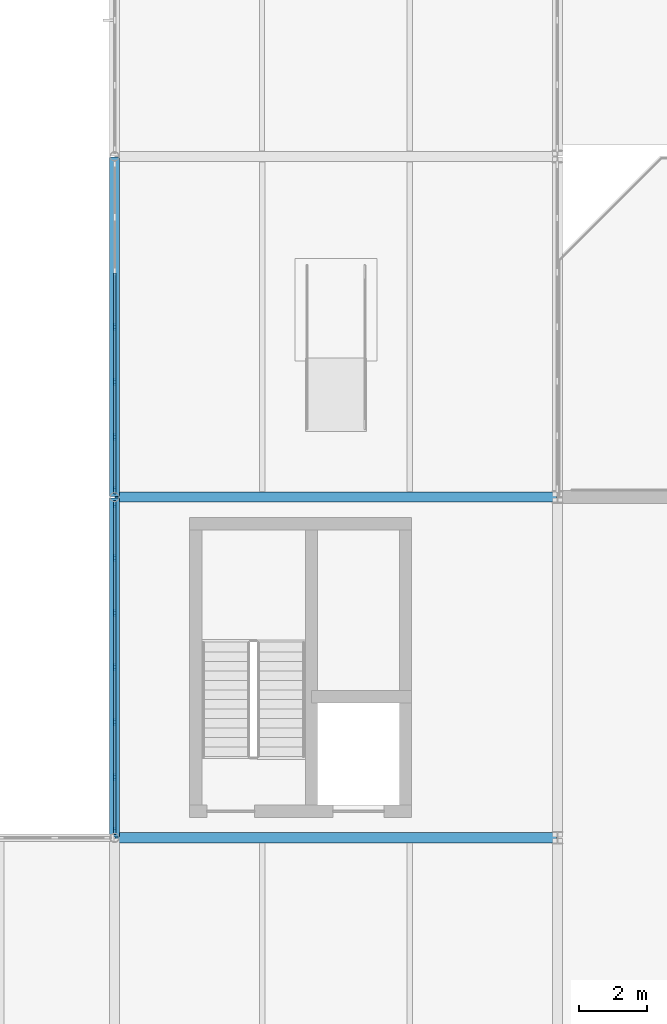
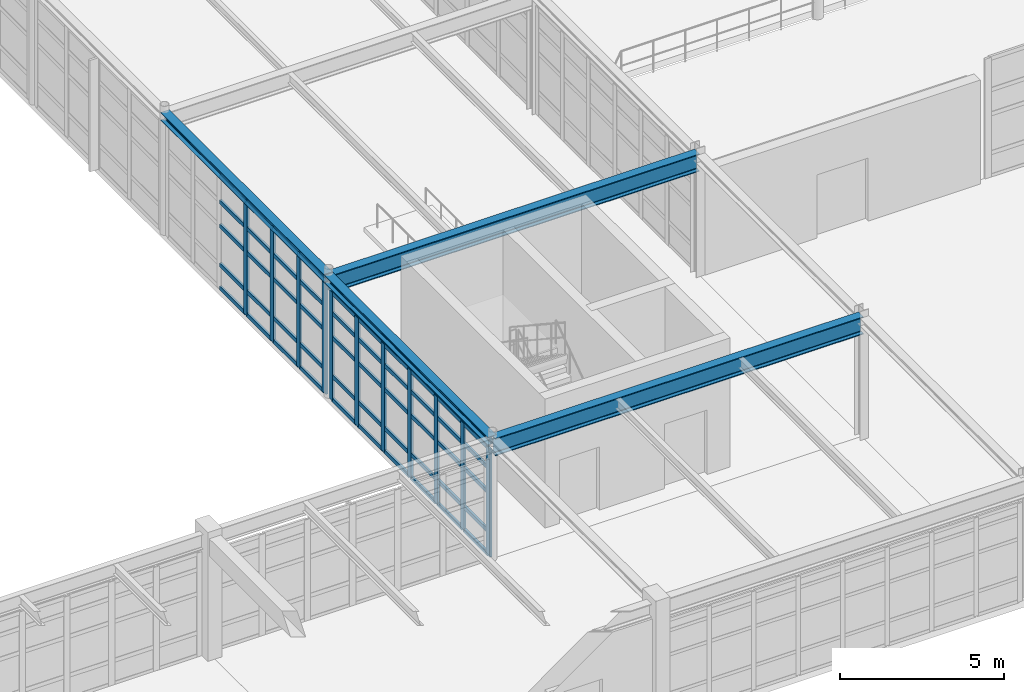
# One storey, part 49 of 139: 61 members, 4 beams, 2 elements without a shape of their own.
"""IFC4 building model written with IfcOpenShell, lengths in metres."""

from ifc_helpers import new_model, si_unit, direction, frame, origin, origin_2d, place, context, subcontext, project, spatial, rectangle, i_section, extrude, material, layer, layer_set, material_profile, profile_set, type_object, element, aggregate, save


model = new_model("IFC4")

# Units and contexts
model_context = context("Model", 3, precision=1e-05, world=origin(), true_north=direction((0.0, 1.0)))
body_context = subcontext(model_context, "Body", "Model", "MODEL_VIEW")
ifc_project = project(units=[si_unit("LENGTHUNIT", "METRE"), si_unit("AREAUNIT", "SQUARE_METRE"), si_unit("VOLUMEUNIT", "CUBIC_METRE"), si_unit("PLANEANGLEUNIT", "RADIAN"), si_unit("MASSUNIT", "GRAM", prefix="KILO"), si_unit("THERMODYNAMICTEMPERATUREUNIT", "KELVIN"), si_unit("POWERUNIT", "WATT")], contexts=[model_context])

# Site, building, storey
site_placement = place(None, origin())
site = spatial("IfcSite", under=ifc_project, at=site_placement, CompositionType="ELEMENT")
building_placement = place(site_placement, origin())
building = spatial("IfcBuilding", under=site, at=building_placement, Name="Korenveer Ferry Terminal", CompositionType="ELEMENT")
storey_placement = place(building_placement, frame((0.0, 0.0, 5.39990234375)))
storey = spatial("IfcBuildingStorey", under=building, at=storey_placement, Name="L01", CompositionType="ELEMENT", Elevation=5.39990234375)

# Curtain wall, members
ifc_material_1 = material(Name="Unitised bronze-and-glass curtain wall", Category="glass")
ifc_layer_1 = layer(ifc_material_1, 0.219970703125)
ifc_layer_set_1 = layer_set([ifc_layer_1], Name="Unitised bronze-and-glass curtain wall")
curtain_wall_type_1 = type_object("IfcCurtainWallType", Name="ENV-CW-64", PredefinedType="USERDEFINED", material=ifc_layer_set_1)
curtain_wall_1_placement = place(storey_placement, frame((40.0, 80.16650390625, 0.0)))
curtain_wall_1 = element("IfcCurtainWall", 1, at=curtain_wall_1_placement, inside=storey, type_object=curtain_wall_type_1, Name="Lancet curtain wall CWX-L01-X40-40-Y80-90", ObjectType="UNITISED CURTAIN WALL", PredefinedType="USERDEFINED")
ifc_material_2 = material(Name="Anodised bronze aluminium", Category="aluminium")
ifc_material_profile_1 = material_profile(ifc_material_2, rectangle(XDim=0.074951171875, YDim=0.219970703125, at=origin_2d()), Name="ALU 75x220")
ifc_profile_set_1 = profile_set([ifc_material_profile_1], Name="Anodised bronze aluminium")
member_type_1 = type_object("IfcMemberType", Name="ENV-CWM-75X220", PredefinedType="MULLION", material=ifc_profile_set_1)
member_1_placement = place(storey_placement, frame((40.0, 80.2041015625, 0.0), z_axis=(0.0, 0.0, 1.0), x_axis=(-1.0, 0.0, 0.0)))
member_1 = element("IfcMember", 2, at=member_1_placement, type_object=member_type_1, Name="CW-64 mullion 1", PredefinedType="MULLION", context=body_context, shape_type="SweptSolid", body=[
    extrude(rectangle(XDim=0.074951171875, YDim=0.219970703125, at=origin_2d()), origin(), (0.0, 0.0, 1.0), 4.030029296875),
])
member_2_placement = place(storey_placement, frame((40.0, 81.777587890625, 0.0), z_axis=(0.0, 0.0, 1.0), x_axis=(-1.0, 0.0, 0.0)))
member_2 = element("IfcMember", 3, at=member_2_placement, type_object=member_type_1, Name="CW-64 mullion 2", PredefinedType="MULLION", context=body_context, shape_type="SweptSolid", body=[
    extrude(rectangle(XDim=0.074951171875, YDim=0.219970703125, at=origin_2d()), origin(), (0.0, 0.0, 1.0), 4.030029296875),
])
member_3_placement = place(storey_placement, frame((40.0, 83.388916015625, 0.0), z_axis=(0.0, 0.0, 1.0), x_axis=(-1.0, 0.0, 0.0)))
member_3 = element("IfcMember", 4, at=member_3_placement, type_object=member_type_1, Name="CW-64 mullion 3", PredefinedType="MULLION", context=body_context, shape_type="SweptSolid", body=[
    extrude(rectangle(XDim=0.074951171875, YDim=0.219970703125, at=origin_2d()), origin(), (0.0, 0.0, 1.0), 4.030029296875),
])
member_4_placement = place(storey_placement, frame((40.0, 85.0, 0.0), z_axis=(0.0, 0.0, 1.0), x_axis=(-1.0, 0.0, 0.0)))
member_4 = element("IfcMember", 5, at=member_4_placement, type_object=member_type_1, Name="CW-64 mullion 4", PredefinedType="MULLION", context=body_context, shape_type="SweptSolid", body=[
    extrude(rectangle(XDim=0.074951171875, YDim=0.219970703125, at=origin_2d()), origin(), (0.0, 0.0, 1.0), 4.030029296875),
])
member_5_placement = place(storey_placement, frame((40.0, 86.611083984375, 0.0), z_axis=(0.0, 0.0, 1.0), x_axis=(-1.0, 0.0, 0.0)))
member_5 = element("IfcMember", 6, at=member_5_placement, type_object=member_type_1, Name="CW-64 mullion 5", PredefinedType="MULLION", context=body_context, shape_type="SweptSolid", body=[
    extrude(rectangle(XDim=0.074951171875, YDim=0.219970703125, at=origin_2d()), origin(), (0.0, 0.0, 1.0), 4.030029296875),
])
member_6_placement = place(storey_placement, frame((40.0, 88.222412109375, 0.0), z_axis=(0.0, 0.0, 1.0), x_axis=(-1.0, 0.0, 0.0)))
member_6 = element("IfcMember", 7, at=member_6_placement, type_object=member_type_1, Name="CW-64 mullion 6", PredefinedType="MULLION", context=body_context, shape_type="SweptSolid", body=[
    extrude(rectangle(XDim=0.074951171875, YDim=0.219970703125, at=origin_2d()), origin(), (0.0, 0.0, 1.0), 4.030029296875),
])
member_7_placement = place(storey_placement, frame((40.0, 89.7958984375, 0.0), z_axis=(0.0, 0.0, 1.0), x_axis=(-1.0, 0.0, 0.0)))
member_7 = element("IfcMember", 8, at=member_7_placement, type_object=member_type_1, Name="CW-64 mullion 7", PredefinedType="MULLION", context=body_context, shape_type="SweptSolid", body=[
    extrude(rectangle(XDim=0.074951171875, YDim=0.219970703125, at=origin_2d()), origin(), (0.0, 0.0, 1.0), 4.030029296875),
])

ifc_layer_2 = layer(ifc_material_1, 0.219970703125)
ifc_layer_set_2 = layer_set([ifc_layer_2], Name="Unitised bronze-and-glass curtain wall")
curtain_wall_type_2 = type_object("IfcCurtainWallType", Name="ENV-CW-65", PredefinedType="USERDEFINED", material=ifc_layer_set_2)
curtain_wall_2_placement = place(storey_placement, frame((40.0, 90.16650390625, 0.0)))
curtain_wall_2 = element("IfcCurtainWall", 9, at=curtain_wall_2_placement, inside=storey, type_object=curtain_wall_type_2, Name="Lancet curtain wall CWX-L01-X40-40-Y90-100", ObjectType="UNITISED CURTAIN WALL", PredefinedType="USERDEFINED")
member_8_placement = place(storey_placement, frame((40.0, 90.2041015625, 0.0), z_axis=(0.0, 0.0, 1.0), x_axis=(-1.0, 0.0, 0.0)))
member_8 = element("IfcMember", 10, at=member_8_placement, type_object=member_type_1, Name="CW-65 mullion 1", PredefinedType="MULLION", context=body_context, shape_type="SweptSolid", body=[
    extrude(rectangle(XDim=0.074951171875, YDim=0.219970703125, at=origin_2d()), origin(), (0.0, 0.0, 1.0), 4.22998046875),
])
member_9_placement = place(storey_placement, frame((40.0, 91.777587890625, 0.0), z_axis=(0.0, 0.0, 1.0), x_axis=(-1.0, 0.0, 0.0)))
member_9 = element("IfcMember", 11, at=member_9_placement, type_object=member_type_1, Name="CW-65 mullion 2", PredefinedType="MULLION", context=body_context, shape_type="SweptSolid", body=[
    extrude(rectangle(XDim=0.074951171875, YDim=0.219970703125, at=origin_2d()), origin(), (0.0, 0.0, 1.0), 4.22998046875),
])
member_10_placement = place(storey_placement, frame((40.0, 93.388916015625, 0.0), z_axis=(0.0, 0.0, 1.0), x_axis=(-1.0, 0.0, 0.0)))
member_10 = element("IfcMember", 12, at=member_10_placement, type_object=member_type_1, Name="CW-65 mullion 3", PredefinedType="MULLION", context=body_context, shape_type="SweptSolid", body=[
    extrude(rectangle(XDim=0.074951171875, YDim=0.219970703125, at=origin_2d()), origin(), (0.0, 0.0, 1.0), 4.22998046875),
])
member_11_placement = place(storey_placement, frame((40.0, 95.0, 0.0), z_axis=(0.0, 0.0, 1.0), x_axis=(-1.0, 0.0, 0.0)))
member_11 = element("IfcMember", 13, at=member_11_placement, type_object=member_type_1, Name="CW-65 mullion 4", PredefinedType="MULLION", context=body_context, shape_type="SweptSolid", body=[
    extrude(rectangle(XDim=0.074951171875, YDim=0.219970703125, at=origin_2d()), origin(), (0.0, 0.0, 1.0), 4.22998046875),
])

# Member
ifc_material_profile_2 = material_profile(ifc_material_2, rectangle(XDim=0.074951171875, YDim=0.14990234375, at=origin_2d()), Name="ALU 75x150")
ifc_profile_set_2 = profile_set([ifc_material_profile_2], Name="Anodised bronze aluminium")
member_type_2 = type_object("IfcMemberType", Name="ENV-CWT-75X150", PredefinedType="USERDEFINED", material=ifc_profile_set_2)
member_12_placement = place(storey_placement, frame((40.0, 80.241455078125, 0.03759765625), z_axis=(0.0, 1.0, 0.0), x_axis=(-1.0, 0.0, 0.0)))
member_12 = element("IfcMember", 14, at=member_12_placement, type_object=member_type_2, Name="CW-64 transom 1.1", ObjectType="TRANSOM", PredefinedType="USERDEFINED", context=body_context, shape_type="SweptSolid", body=[
    extrude(rectangle(XDim=0.074951171875, YDim=0.14990234375, at=origin_2d()), origin(), (0.0, 0.0, 1.0), 1.498779296875),
])

member_13_placement = place(storey_placement, frame((40.0, 80.241455078125, 0.900146484375), z_axis=(0.0, 1.0, 0.0), x_axis=(-1.0, 0.0, 0.0)))
member_13 = element("IfcMember", 15, at=member_13_placement, type_object=member_type_2, Name="CW-64 transom 1.2", ObjectType="TRANSOM", PredefinedType="USERDEFINED", context=body_context, shape_type="SweptSolid", body=[
    extrude(rectangle(XDim=0.074951171875, YDim=0.14990234375, at=origin_2d()), origin(), (0.0, 0.0, 1.0), 1.498779296875),
])

member_14_placement = place(storey_placement, frame((40.0, 80.241455078125, 2.35009765625), z_axis=(0.0, 1.0, 0.0), x_axis=(-1.0, 0.0, 0.0)))
member_14 = element("IfcMember", 16, at=member_14_placement, type_object=member_type_2, Name="CW-64 transom 1.3", ObjectType="TRANSOM", PredefinedType="USERDEFINED", context=body_context, shape_type="SweptSolid", body=[
    extrude(rectangle(XDim=0.074951171875, YDim=0.14990234375, at=origin_2d()), origin(), (0.0, 0.0, 1.0), 1.498779296875),
])

member_15_placement = place(storey_placement, frame((40.0, 80.241455078125, 3.25), z_axis=(0.0, 1.0, 0.0), x_axis=(-1.0, 0.0, 0.0)))
member_15 = element("IfcMember", 17, at=member_15_placement, type_object=member_type_2, Name="CW-64 transom 1.4", ObjectType="TRANSOM", PredefinedType="USERDEFINED", context=body_context, shape_type="SweptSolid", body=[
    extrude(rectangle(XDim=0.074951171875, YDim=0.14990234375, at=origin_2d()), origin(), (0.0, 0.0, 1.0), 1.498779296875),
])

member_16_placement = place(storey_placement, frame((40.0, 80.241455078125, 3.99267578125), z_axis=(0.0, 1.0, 0.0), x_axis=(-1.0, 0.0, 0.0)))
member_16 = element("IfcMember", 18, at=member_16_placement, type_object=member_type_2, Name="CW-64 transom 1.5", ObjectType="TRANSOM", PredefinedType="USERDEFINED", context=body_context, shape_type="SweptSolid", body=[
    extrude(rectangle(XDim=0.074951171875, YDim=0.14990234375, at=origin_2d()), origin(), (0.0, 0.0, 1.0), 1.498779296875),
])

member_17_placement = place(storey_placement, frame((40.0, 81.815185546875, 0.03759765625), z_axis=(0.0, 1.0, 0.0), x_axis=(-1.0, 0.0, 0.0)))
member_17 = element("IfcMember", 19, at=member_17_placement, type_object=member_type_2, Name="CW-64 transom 2.1", ObjectType="TRANSOM", PredefinedType="USERDEFINED", context=body_context, shape_type="SweptSolid", body=[
    extrude(rectangle(XDim=0.074951171875, YDim=0.14990234375, at=origin_2d()), origin(), (0.0, 0.0, 1.0), 1.5361328125),
])

member_18_placement = place(storey_placement, frame((40.0, 81.815185546875, 0.900146484375), z_axis=(0.0, 1.0, 0.0), x_axis=(-1.0, 0.0, 0.0)))
member_18 = element("IfcMember", 20, at=member_18_placement, type_object=member_type_2, Name="CW-64 transom 2.2", ObjectType="TRANSOM", PredefinedType="USERDEFINED", context=body_context, shape_type="SweptSolid", body=[
    extrude(rectangle(XDim=0.074951171875, YDim=0.14990234375, at=origin_2d()), origin(), (0.0, 0.0, 1.0), 1.5361328125),
])

member_19_placement = place(storey_placement, frame((40.0, 81.815185546875, 2.35009765625), z_axis=(0.0, 1.0, 0.0), x_axis=(-1.0, 0.0, 0.0)))
member_19 = element("IfcMember", 21, at=member_19_placement, type_object=member_type_2, Name="CW-64 transom 2.3", ObjectType="TRANSOM", PredefinedType="USERDEFINED", context=body_context, shape_type="SweptSolid", body=[
    extrude(rectangle(XDim=0.074951171875, YDim=0.14990234375, at=origin_2d()), origin(), (0.0, 0.0, 1.0), 1.5361328125),
])

member_20_placement = place(storey_placement, frame((40.0, 81.815185546875, 3.25), z_axis=(0.0, 1.0, 0.0), x_axis=(-1.0, 0.0, 0.0)))
member_20 = element("IfcMember", 22, at=member_20_placement, type_object=member_type_2, Name="CW-64 transom 2.4", ObjectType="TRANSOM", PredefinedType="USERDEFINED", context=body_context, shape_type="SweptSolid", body=[
    extrude(rectangle(XDim=0.074951171875, YDim=0.14990234375, at=origin_2d()), origin(), (0.0, 0.0, 1.0), 1.5361328125),
])

member_21_placement = place(storey_placement, frame((40.0, 81.815185546875, 3.99267578125), z_axis=(0.0, 1.0, 0.0), x_axis=(-1.0, 0.0, 0.0)))
member_21 = element("IfcMember", 23, at=member_21_placement, type_object=member_type_2, Name="CW-64 transom 2.5", ObjectType="TRANSOM", PredefinedType="USERDEFINED", context=body_context, shape_type="SweptSolid", body=[
    extrude(rectangle(XDim=0.074951171875, YDim=0.14990234375, at=origin_2d()), origin(), (0.0, 0.0, 1.0), 1.5361328125),
])

member_22_placement = place(storey_placement, frame((40.0, 83.42626953125, 0.03759765625), z_axis=(0.0, 1.0, 0.0), x_axis=(-1.0, 0.0, 0.0)))
member_22 = element("IfcMember", 24, at=member_22_placement, type_object=member_type_2, Name="CW-64 transom 3.1", ObjectType="TRANSOM", PredefinedType="USERDEFINED", context=body_context, shape_type="SweptSolid", body=[
    extrude(rectangle(XDim=0.074951171875, YDim=0.14990234375, at=origin_2d()), origin(), (0.0, 0.0, 1.0), 1.5361328125),
])

member_23_placement = place(storey_placement, frame((40.0, 83.42626953125, 0.900146484375), z_axis=(0.0, 1.0, 0.0), x_axis=(-1.0, 0.0, 0.0)))
member_23 = element("IfcMember", 25, at=member_23_placement, type_object=member_type_2, Name="CW-64 transom 3.2", ObjectType="TRANSOM", PredefinedType="USERDEFINED", context=body_context, shape_type="SweptSolid", body=[
    extrude(rectangle(XDim=0.074951171875, YDim=0.14990234375, at=origin_2d()), origin(), (0.0, 0.0, 1.0), 1.5361328125),
])

member_24_placement = place(storey_placement, frame((40.0, 83.42626953125, 2.35009765625), z_axis=(0.0, 1.0, 0.0), x_axis=(-1.0, 0.0, 0.0)))
member_24 = element("IfcMember", 26, at=member_24_placement, type_object=member_type_2, Name="CW-64 transom 3.3", ObjectType="TRANSOM", PredefinedType="USERDEFINED", context=body_context, shape_type="SweptSolid", body=[
    extrude(rectangle(XDim=0.074951171875, YDim=0.14990234375, at=origin_2d()), origin(), (0.0, 0.0, 1.0), 1.5361328125),
])

member_25_placement = place(storey_placement, frame((40.0, 83.42626953125, 3.25), z_axis=(0.0, 1.0, 0.0), x_axis=(-1.0, 0.0, 0.0)))
member_25 = element("IfcMember", 27, at=member_25_placement, type_object=member_type_2, Name="CW-64 transom 3.4", ObjectType="TRANSOM", PredefinedType="USERDEFINED", context=body_context, shape_type="SweptSolid", body=[
    extrude(rectangle(XDim=0.074951171875, YDim=0.14990234375, at=origin_2d()), origin(), (0.0, 0.0, 1.0), 1.5361328125),
])

member_26_placement = place(storey_placement, frame((40.0, 83.42626953125, 3.99267578125), z_axis=(0.0, 1.0, 0.0), x_axis=(-1.0, 0.0, 0.0)))
member_26 = element("IfcMember", 28, at=member_26_placement, type_object=member_type_2, Name="CW-64 transom 3.5", ObjectType="TRANSOM", PredefinedType="USERDEFINED", context=body_context, shape_type="SweptSolid", body=[
    extrude(rectangle(XDim=0.074951171875, YDim=0.14990234375, at=origin_2d()), origin(), (0.0, 0.0, 1.0), 1.5361328125),
])

member_27_placement = place(storey_placement, frame((40.0, 85.03759765625, 0.03759765625), z_axis=(0.0, 1.0, 0.0), x_axis=(-1.0, 0.0, 0.0)))
member_27 = element("IfcMember", 29, at=member_27_placement, type_object=member_type_2, Name="CW-64 transom 4.1", ObjectType="TRANSOM", PredefinedType="USERDEFINED", context=body_context, shape_type="SweptSolid", body=[
    extrude(rectangle(XDim=0.074951171875, YDim=0.14990234375, at=origin_2d()), origin(), (0.0, 0.0, 1.0), 1.5361328125),
])

member_28_placement = place(storey_placement, frame((40.0, 85.03759765625, 0.900146484375), z_axis=(0.0, 1.0, 0.0), x_axis=(-1.0, 0.0, 0.0)))
member_28 = element("IfcMember", 30, at=member_28_placement, type_object=member_type_2, Name="CW-64 transom 4.2", ObjectType="TRANSOM", PredefinedType="USERDEFINED", context=body_context, shape_type="SweptSolid", body=[
    extrude(rectangle(XDim=0.074951171875, YDim=0.14990234375, at=origin_2d()), origin(), (0.0, 0.0, 1.0), 1.5361328125),
])

member_29_placement = place(storey_placement, frame((40.0, 85.03759765625, 2.35009765625), z_axis=(0.0, 1.0, 0.0), x_axis=(-1.0, 0.0, 0.0)))
member_29 = element("IfcMember", 31, at=member_29_placement, type_object=member_type_2, Name="CW-64 transom 4.3", ObjectType="TRANSOM", PredefinedType="USERDEFINED", context=body_context, shape_type="SweptSolid", body=[
    extrude(rectangle(XDim=0.074951171875, YDim=0.14990234375, at=origin_2d()), origin(), (0.0, 0.0, 1.0), 1.5361328125),
])

member_30_placement = place(storey_placement, frame((40.0, 85.03759765625, 3.25), z_axis=(0.0, 1.0, 0.0), x_axis=(-1.0, 0.0, 0.0)))
member_30 = element("IfcMember", 32, at=member_30_placement, type_object=member_type_2, Name="CW-64 transom 4.4", ObjectType="TRANSOM", PredefinedType="USERDEFINED", context=body_context, shape_type="SweptSolid", body=[
    extrude(rectangle(XDim=0.074951171875, YDim=0.14990234375, at=origin_2d()), origin(), (0.0, 0.0, 1.0), 1.5361328125),
])

member_31_placement = place(storey_placement, frame((40.0, 85.03759765625, 3.99267578125), z_axis=(0.0, 1.0, 0.0), x_axis=(-1.0, 0.0, 0.0)))
member_31 = element("IfcMember", 33, at=member_31_placement, type_object=member_type_2, Name="CW-64 transom 4.5", ObjectType="TRANSOM", PredefinedType="USERDEFINED", context=body_context, shape_type="SweptSolid", body=[
    extrude(rectangle(XDim=0.074951171875, YDim=0.14990234375, at=origin_2d()), origin(), (0.0, 0.0, 1.0), 1.5361328125),
])

member_32_placement = place(storey_placement, frame((40.0, 86.648681640625, 0.03759765625), z_axis=(0.0, 1.0, 0.0), x_axis=(-1.0, 0.0, 0.0)))
member_32 = element("IfcMember", 34, at=member_32_placement, type_object=member_type_2, Name="CW-64 transom 5.1", ObjectType="TRANSOM", PredefinedType="USERDEFINED", context=body_context, shape_type="SweptSolid", body=[
    extrude(rectangle(XDim=0.074951171875, YDim=0.14990234375, at=origin_2d()), origin(), (0.0, 0.0, 1.0), 1.5361328125),
])

member_33_placement = place(storey_placement, frame((40.0, 86.648681640625, 0.900146484375), z_axis=(0.0, 1.0, 0.0), x_axis=(-1.0, 0.0, 0.0)))
member_33 = element("IfcMember", 35, at=member_33_placement, type_object=member_type_2, Name="CW-64 transom 5.2", ObjectType="TRANSOM", PredefinedType="USERDEFINED", context=body_context, shape_type="SweptSolid", body=[
    extrude(rectangle(XDim=0.074951171875, YDim=0.14990234375, at=origin_2d()), origin(), (0.0, 0.0, 1.0), 1.5361328125),
])

member_34_placement = place(storey_placement, frame((40.0, 86.648681640625, 2.35009765625), z_axis=(0.0, 1.0, 0.0), x_axis=(-1.0, 0.0, 0.0)))
member_34 = element("IfcMember", 36, at=member_34_placement, type_object=member_type_2, Name="CW-64 transom 5.3", ObjectType="TRANSOM", PredefinedType="USERDEFINED", context=body_context, shape_type="SweptSolid", body=[
    extrude(rectangle(XDim=0.074951171875, YDim=0.14990234375, at=origin_2d()), origin(), (0.0, 0.0, 1.0), 1.5361328125),
])

member_35_placement = place(storey_placement, frame((40.0, 86.648681640625, 3.25), z_axis=(0.0, 1.0, 0.0), x_axis=(-1.0, 0.0, 0.0)))
member_35 = element("IfcMember", 37, at=member_35_placement, type_object=member_type_2, Name="CW-64 transom 5.4", ObjectType="TRANSOM", PredefinedType="USERDEFINED", context=body_context, shape_type="SweptSolid", body=[
    extrude(rectangle(XDim=0.074951171875, YDim=0.14990234375, at=origin_2d()), origin(), (0.0, 0.0, 1.0), 1.5361328125),
])

member_36_placement = place(storey_placement, frame((40.0, 86.648681640625, 3.99267578125), z_axis=(0.0, 1.0, 0.0), x_axis=(-1.0, 0.0, 0.0)))
member_36 = element("IfcMember", 38, at=member_36_placement, type_object=member_type_2, Name="CW-64 transom 5.5", ObjectType="TRANSOM", PredefinedType="USERDEFINED", context=body_context, shape_type="SweptSolid", body=[
    extrude(rectangle(XDim=0.074951171875, YDim=0.14990234375, at=origin_2d()), origin(), (0.0, 0.0, 1.0), 1.5361328125),
])

member_37_placement = place(storey_placement, frame((40.0, 88.259765625, 0.03759765625), z_axis=(0.0, 1.0, 0.0), x_axis=(-1.0, 0.0, 0.0)))
member_37 = element("IfcMember", 39, at=member_37_placement, type_object=member_type_2, Name="CW-64 transom 6.1", ObjectType="TRANSOM", PredefinedType="USERDEFINED", context=body_context, shape_type="SweptSolid", body=[
    extrude(rectangle(XDim=0.074951171875, YDim=0.14990234375, at=origin_2d()), origin(), (0.0, 0.0, 1.0), 1.498779296875),
])

member_38_placement = place(storey_placement, frame((40.0, 88.259765625, 0.900146484375), z_axis=(0.0, 1.0, 0.0), x_axis=(-1.0, 0.0, 0.0)))
member_38 = element("IfcMember", 40, at=member_38_placement, type_object=member_type_2, Name="CW-64 transom 6.2", ObjectType="TRANSOM", PredefinedType="USERDEFINED", context=body_context, shape_type="SweptSolid", body=[
    extrude(rectangle(XDim=0.074951171875, YDim=0.14990234375, at=origin_2d()), origin(), (0.0, 0.0, 1.0), 1.498779296875),
])

member_39_placement = place(storey_placement, frame((40.0, 88.259765625, 2.35009765625), z_axis=(0.0, 1.0, 0.0), x_axis=(-1.0, 0.0, 0.0)))
member_39 = element("IfcMember", 41, at=member_39_placement, type_object=member_type_2, Name="CW-64 transom 6.3", ObjectType="TRANSOM", PredefinedType="USERDEFINED", context=body_context, shape_type="SweptSolid", body=[
    extrude(rectangle(XDim=0.074951171875, YDim=0.14990234375, at=origin_2d()), origin(), (0.0, 0.0, 1.0), 1.498779296875),
])

member_40_placement = place(storey_placement, frame((40.0, 88.259765625, 3.25), z_axis=(0.0, 1.0, 0.0), x_axis=(-1.0, 0.0, 0.0)))
member_40 = element("IfcMember", 42, at=member_40_placement, type_object=member_type_2, Name="CW-64 transom 6.4", ObjectType="TRANSOM", PredefinedType="USERDEFINED", context=body_context, shape_type="SweptSolid", body=[
    extrude(rectangle(XDim=0.074951171875, YDim=0.14990234375, at=origin_2d()), origin(), (0.0, 0.0, 1.0), 1.498779296875),
])

member_41_placement = place(storey_placement, frame((40.0, 88.259765625, 3.99267578125), z_axis=(0.0, 1.0, 0.0), x_axis=(-1.0, 0.0, 0.0)))
member_41 = element("IfcMember", 43, at=member_41_placement, type_object=member_type_2, Name="CW-64 transom 6.5", ObjectType="TRANSOM", PredefinedType="USERDEFINED", context=body_context, shape_type="SweptSolid", body=[
    extrude(rectangle(XDim=0.074951171875, YDim=0.14990234375, at=origin_2d()), origin(), (0.0, 0.0, 1.0), 1.498779296875),
])

aggregate(curtain_wall_1, [member_1, member_2, member_3, member_4, member_5, member_6, member_7, member_12, member_13, member_14, member_15, member_16, member_17, member_18, member_19, member_20, member_21, member_22, member_23, member_24, member_25, member_26, member_27, member_28, member_29, member_30, member_31, member_32, member_33, member_34, member_35, member_36, member_37, member_38, member_39, member_40, member_41])

member_42_placement = place(storey_placement, frame((40.0, 90.241455078125, 0.03759765625), z_axis=(0.0, 1.0, 0.0), x_axis=(-1.0, 0.0, 0.0)))
member_42 = element("IfcMember", 44, at=member_42_placement, type_object=member_type_2, Name="CW-65 transom 1.1", ObjectType="TRANSOM", PredefinedType="USERDEFINED", context=body_context, shape_type="SweptSolid", body=[
    extrude(rectangle(XDim=0.074951171875, YDim=0.14990234375, at=origin_2d()), origin(), (0.0, 0.0, 1.0), 1.498779296875),
])

member_43_placement = place(storey_placement, frame((40.0, 90.241455078125, 0.900146484375), z_axis=(0.0, 1.0, 0.0), x_axis=(-1.0, 0.0, 0.0)))
member_43 = element("IfcMember", 45, at=member_43_placement, type_object=member_type_2, Name="CW-65 transom 1.2", ObjectType="TRANSOM", PredefinedType="USERDEFINED", context=body_context, shape_type="SweptSolid", body=[
    extrude(rectangle(XDim=0.074951171875, YDim=0.14990234375, at=origin_2d()), origin(), (0.0, 0.0, 1.0), 1.498779296875),
])

member_44_placement = place(storey_placement, frame((40.0, 90.241455078125, 2.35009765625), z_axis=(0.0, 1.0, 0.0), x_axis=(-1.0, 0.0, 0.0)))
member_44 = element("IfcMember", 46, at=member_44_placement, type_object=member_type_2, Name="CW-65 transom 1.3", ObjectType="TRANSOM", PredefinedType="USERDEFINED", context=body_context, shape_type="SweptSolid", body=[
    extrude(rectangle(XDim=0.074951171875, YDim=0.14990234375, at=origin_2d()), origin(), (0.0, 0.0, 1.0), 1.498779296875),
])

member_45_placement = place(storey_placement, frame((40.0, 90.241455078125, 3.25), z_axis=(0.0, 1.0, 0.0), x_axis=(-1.0, 0.0, 0.0)))
member_45 = element("IfcMember", 47, at=member_45_placement, type_object=member_type_2, Name="CW-65 transom 1.4", ObjectType="TRANSOM", PredefinedType="USERDEFINED", context=body_context, shape_type="SweptSolid", body=[
    extrude(rectangle(XDim=0.074951171875, YDim=0.14990234375, at=origin_2d()), origin(), (0.0, 0.0, 1.0), 1.498779296875),
])

member_46_placement = place(storey_placement, frame((40.0, 90.241455078125, 4.192626953125), z_axis=(0.0, 1.0, 0.0), x_axis=(-1.0, 0.0, 0.0)))
member_46 = element("IfcMember", 48, at=member_46_placement, type_object=member_type_2, Name="CW-65 transom 1.5", ObjectType="TRANSOM", PredefinedType="USERDEFINED", context=body_context, shape_type="SweptSolid", body=[
    extrude(rectangle(XDim=0.074951171875, YDim=0.14990234375, at=origin_2d()), origin(), (0.0, 0.0, 1.0), 1.498779296875),
])

member_47_placement = place(storey_placement, frame((40.0, 91.815185546875, 0.03759765625), z_axis=(0.0, 1.0, 0.0), x_axis=(-1.0, 0.0, 0.0)))
member_47 = element("IfcMember", 49, at=member_47_placement, type_object=member_type_2, Name="CW-65 transom 2.1", ObjectType="TRANSOM", PredefinedType="USERDEFINED", context=body_context, shape_type="SweptSolid", body=[
    extrude(rectangle(XDim=0.074951171875, YDim=0.14990234375, at=origin_2d()), origin(), (0.0, 0.0, 1.0), 1.5361328125),
])

member_48_placement = place(storey_placement, frame((40.0, 91.815185546875, 0.900146484375), z_axis=(0.0, 1.0, 0.0), x_axis=(-1.0, 0.0, 0.0)))
member_48 = element("IfcMember", 50, at=member_48_placement, type_object=member_type_2, Name="CW-65 transom 2.2", ObjectType="TRANSOM", PredefinedType="USERDEFINED", context=body_context, shape_type="SweptSolid", body=[
    extrude(rectangle(XDim=0.074951171875, YDim=0.14990234375, at=origin_2d()), origin(), (0.0, 0.0, 1.0), 1.5361328125),
])

member_49_placement = place(storey_placement, frame((40.0, 91.815185546875, 2.35009765625), z_axis=(0.0, 1.0, 0.0), x_axis=(-1.0, 0.0, 0.0)))
member_49 = element("IfcMember", 51, at=member_49_placement, type_object=member_type_2, Name="CW-65 transom 2.3", ObjectType="TRANSOM", PredefinedType="USERDEFINED", context=body_context, shape_type="SweptSolid", body=[
    extrude(rectangle(XDim=0.074951171875, YDim=0.14990234375, at=origin_2d()), origin(), (0.0, 0.0, 1.0), 1.5361328125),
])

member_50_placement = place(storey_placement, frame((40.0, 91.815185546875, 3.25), z_axis=(0.0, 1.0, 0.0), x_axis=(-1.0, 0.0, 0.0)))
member_50 = element("IfcMember", 52, at=member_50_placement, type_object=member_type_2, Name="CW-65 transom 2.4", ObjectType="TRANSOM", PredefinedType="USERDEFINED", context=body_context, shape_type="SweptSolid", body=[
    extrude(rectangle(XDim=0.074951171875, YDim=0.14990234375, at=origin_2d()), origin(), (0.0, 0.0, 1.0), 1.5361328125),
])

member_51_placement = place(storey_placement, frame((40.0, 91.815185546875, 4.192626953125), z_axis=(0.0, 1.0, 0.0), x_axis=(-1.0, 0.0, 0.0)))
member_51 = element("IfcMember", 53, at=member_51_placement, type_object=member_type_2, Name="CW-65 transom 2.5", ObjectType="TRANSOM", PredefinedType="USERDEFINED", context=body_context, shape_type="SweptSolid", body=[
    extrude(rectangle(XDim=0.074951171875, YDim=0.14990234375, at=origin_2d()), origin(), (0.0, 0.0, 1.0), 1.5361328125),
])

member_52_placement = place(storey_placement, frame((40.0, 93.42626953125, 0.03759765625), z_axis=(0.0, 1.0, 0.0), x_axis=(-1.0, 0.0, 0.0)))
member_52 = element("IfcMember", 54, at=member_52_placement, type_object=member_type_2, Name="CW-65 transom 3.1", ObjectType="TRANSOM", PredefinedType="USERDEFINED", context=body_context, shape_type="SweptSolid", body=[
    extrude(rectangle(XDim=0.074951171875, YDim=0.14990234375, at=origin_2d()), origin(), (0.0, 0.0, 1.0), 1.5361328125),
])

member_53_placement = place(storey_placement, frame((40.0, 93.42626953125, 0.900146484375), z_axis=(0.0, 1.0, 0.0), x_axis=(-1.0, 0.0, 0.0)))
member_53 = element("IfcMember", 55, at=member_53_placement, type_object=member_type_2, Name="CW-65 transom 3.2", ObjectType="TRANSOM", PredefinedType="USERDEFINED", context=body_context, shape_type="SweptSolid", body=[
    extrude(rectangle(XDim=0.074951171875, YDim=0.14990234375, at=origin_2d()), origin(), (0.0, 0.0, 1.0), 1.5361328125),
])

member_54_placement = place(storey_placement, frame((40.0, 93.42626953125, 2.35009765625), z_axis=(0.0, 1.0, 0.0), x_axis=(-1.0, 0.0, 0.0)))
member_54 = element("IfcMember", 56, at=member_54_placement, type_object=member_type_2, Name="CW-65 transom 3.3", ObjectType="TRANSOM", PredefinedType="USERDEFINED", context=body_context, shape_type="SweptSolid", body=[
    extrude(rectangle(XDim=0.074951171875, YDim=0.14990234375, at=origin_2d()), origin(), (0.0, 0.0, 1.0), 1.5361328125),
])

member_55_placement = place(storey_placement, frame((40.0, 93.42626953125, 3.25), z_axis=(0.0, 1.0, 0.0), x_axis=(-1.0, 0.0, 0.0)))
member_55 = element("IfcMember", 57, at=member_55_placement, type_object=member_type_2, Name="CW-65 transom 3.4", ObjectType="TRANSOM", PredefinedType="USERDEFINED", context=body_context, shape_type="SweptSolid", body=[
    extrude(rectangle(XDim=0.074951171875, YDim=0.14990234375, at=origin_2d()), origin(), (0.0, 0.0, 1.0), 1.5361328125),
])

member_56_placement = place(storey_placement, frame((40.0, 93.42626953125, 4.192626953125), z_axis=(0.0, 1.0, 0.0), x_axis=(-1.0, 0.0, 0.0)))
member_56 = element("IfcMember", 58, at=member_56_placement, type_object=member_type_2, Name="CW-65 transom 3.5", ObjectType="TRANSOM", PredefinedType="USERDEFINED", context=body_context, shape_type="SweptSolid", body=[
    extrude(rectangle(XDim=0.074951171875, YDim=0.14990234375, at=origin_2d()), origin(), (0.0, 0.0, 1.0), 1.5361328125),
])

member_57_placement = place(storey_placement, frame((40.0, 95.03759765625, 0.03759765625), z_axis=(0.0, 1.0, 0.0), x_axis=(-1.0, 0.0, 0.0)))
member_57 = element("IfcMember", 59, at=member_57_placement, type_object=member_type_2, Name="CW-65 transom 4.1", ObjectType="TRANSOM", PredefinedType="USERDEFINED", context=body_context, shape_type="SweptSolid", body=[
    extrude(rectangle(XDim=0.074951171875, YDim=0.14990234375, at=origin_2d()), origin(), (0.0, 0.0, 1.0), 1.5361328125),
])

member_58_placement = place(storey_placement, frame((40.0, 95.03759765625, 0.900146484375), z_axis=(0.0, 1.0, 0.0), x_axis=(-1.0, 0.0, 0.0)))
member_58 = element("IfcMember", 60, at=member_58_placement, type_object=member_type_2, Name="CW-65 transom 4.2", ObjectType="TRANSOM", PredefinedType="USERDEFINED", context=body_context, shape_type="SweptSolid", body=[
    extrude(rectangle(XDim=0.074951171875, YDim=0.14990234375, at=origin_2d()), origin(), (0.0, 0.0, 1.0), 1.5361328125),
])

member_59_placement = place(storey_placement, frame((40.0, 95.03759765625, 2.35009765625), z_axis=(0.0, 1.0, 0.0), x_axis=(-1.0, 0.0, 0.0)))
member_59 = element("IfcMember", 61, at=member_59_placement, type_object=member_type_2, Name="CW-65 transom 4.3", ObjectType="TRANSOM", PredefinedType="USERDEFINED", context=body_context, shape_type="SweptSolid", body=[
    extrude(rectangle(XDim=0.074951171875, YDim=0.14990234375, at=origin_2d()), origin(), (0.0, 0.0, 1.0), 1.5361328125),
])

member_60_placement = place(storey_placement, frame((40.0, 95.03759765625, 3.25), z_axis=(0.0, 1.0, 0.0), x_axis=(-1.0, 0.0, 0.0)))
member_60 = element("IfcMember", 62, at=member_60_placement, type_object=member_type_2, Name="CW-65 transom 4.4", ObjectType="TRANSOM", PredefinedType="USERDEFINED", context=body_context, shape_type="SweptSolid", body=[
    extrude(rectangle(XDim=0.074951171875, YDim=0.14990234375, at=origin_2d()), origin(), (0.0, 0.0, 1.0), 1.5361328125),
])

member_61_placement = place(storey_placement, frame((40.0, 95.03759765625, 4.192626953125), z_axis=(0.0, 1.0, 0.0), x_axis=(-1.0, 0.0, 0.0)))
member_61 = element("IfcMember", 63, at=member_61_placement, type_object=member_type_2, Name="CW-65 transom 4.5", ObjectType="TRANSOM", PredefinedType="USERDEFINED", context=body_context, shape_type="SweptSolid", body=[
    extrude(rectangle(XDim=0.074951171875, YDim=0.14990234375, at=origin_2d()), origin(), (0.0, 0.0, 1.0), 1.5361328125),
])

aggregate(curtain_wall_2, [member_8, member_9, member_10, member_11, member_42, member_43, member_44, member_45, member_46, member_47, member_48, member_49, member_50, member_51, member_52, member_53, member_54, member_55, member_56, member_57, member_58, member_59, member_60, member_61])

# Beams
ifc_material_3 = material(Name="Steel S355", Category="steel")
ifc_material_profile_3 = material_profile(ifc_material_3, i_section(OverallWidth=0.300048828125, OverallDepth=0.2900390625, WebThickness=0.008544921875, FlangeThickness=0.013916015625, FilletRadius=0.027099609375, at=origin_2d()), Name="HEA 300")
ifc_profile_set_3 = profile_set([ifc_material_profile_3], Name="Steel S355")
beam_type_1 = type_object("IfcBeamType", Name="STR-BM-HEA300", PredefinedType="BEAM", material=ifc_profile_set_3)
for number, where, z_axis, x_axis, name in (
    (64, (40.0, 80.02001953125, 4.405029296875), (0.0, 1.0, 0.0), (-1.0, 0.0, 0.0), "Primary Y girder BMY-L02-X40-Y80-90"),
    (65, (40.0, 90.02001953125, 4.405029296875), (0.0, 1.0, 0.0), (-1.0, 0.0, 0.0), "Primary Y girder BMY-L02-X40-Y90-100"),
):
    element("IfcBeam", number, at=place(storey_placement, frame(where, z_axis=z_axis, x_axis=x_axis)), inside=storey, type_object=beam_type_1, Name=name, PredefinedType="BEAM", context=body_context, shape_type="SweptSolid", body=[
        extrude(i_section(OverallWidth=0.300048828125, OverallDepth=0.2900390625, WebThickness=0.008544921875, FlangeThickness=0.013916015625, FilletRadius=0.027099609375, at=origin_2d()), origin(), (0.0, 0.0, 1.0), 9.9599609375),
    ])
ifc_material_profile_4 = material_profile(ifc_material_3, i_section(OverallWidth=0.300048828125, OverallDepth=0.64990234375, WebThickness=0.01611328125, FlangeThickness=0.031005859375, FilletRadius=0.027099609375, at=origin_2d()), Name="HEB 650")
ifc_profile_set_4 = profile_set([ifc_material_profile_4], Name="Steel S355")
beam_type_2 = type_object("IfcBeamType", Name="STR-BM-HEB650", PredefinedType="BEAM", material=ifc_profile_set_4)
for number, where, z_axis, x_axis, name in (
    (66, (40.02001953125, 80.0, 4.22509765625), (1.0, 0.0, 0.0), (0.0, 1.0, 0.0), "Primary X girder BMX-L02-X40-53-Y80"),
    (67, (40.02001953125, 90.0, 4.22509765625), (1.0, 0.0, 0.0), (0.0, 1.0, 0.0), "Primary X girder BMX-L02-X40-53-Y90"),
):
    element("IfcBeam", number, at=place(storey_placement, frame(where, z_axis=z_axis, x_axis=x_axis)), inside=storey, type_object=beam_type_2, Name=name, PredefinedType="BEAM", context=body_context, shape_type="SweptSolid", body=[
        extrude(i_section(OverallWidth=0.300048828125, OverallDepth=0.64990234375, WebThickness=0.01611328125, FlangeThickness=0.031005859375, FilletRadius=0.027099609375, at=origin_2d()), origin(), (0.0, 0.0, 1.0), 12.9599609375),
    ])

save(model, "model.ifc")
